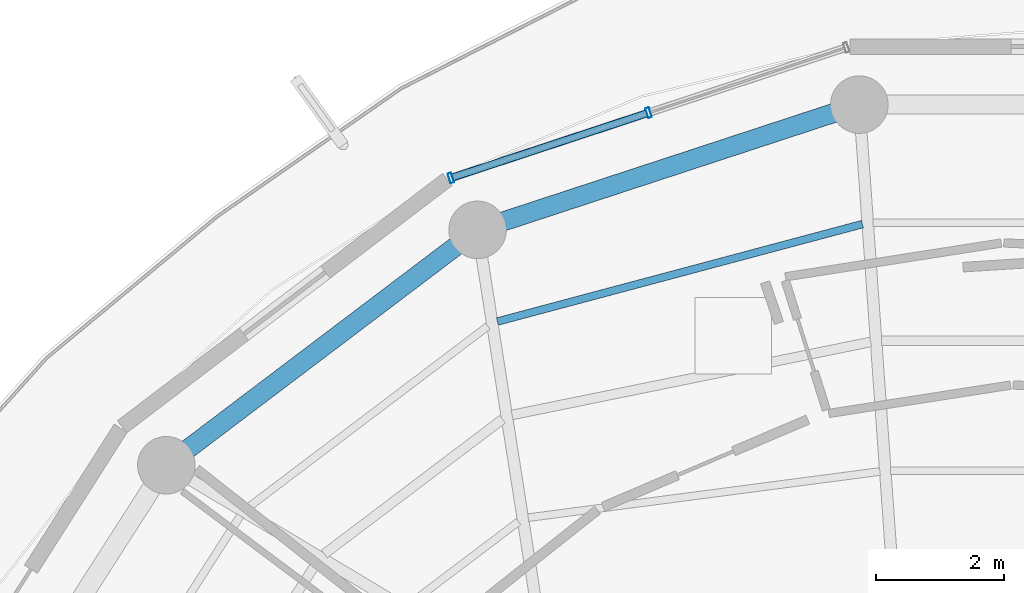
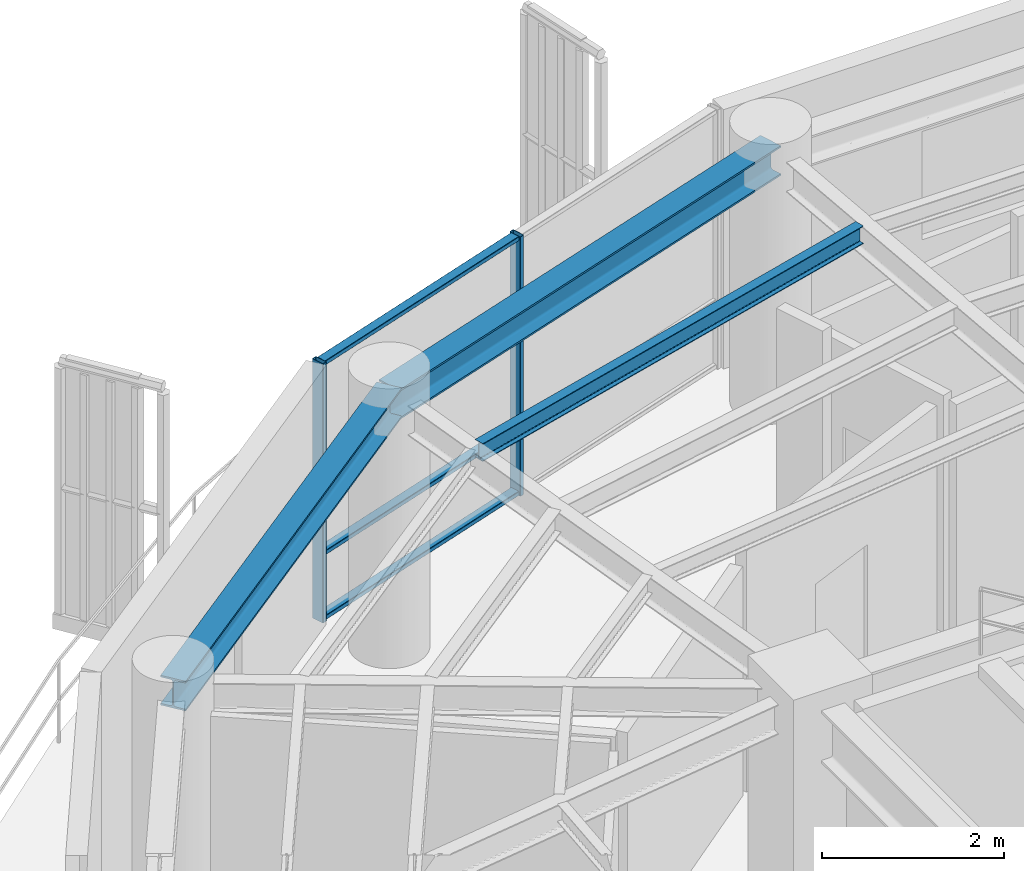
# One storey, part 11 of 22: 5 members, 3 beams, 1 element without a shape of its own.
"""IFC4 building model written with IfcOpenShell, lengths in metres."""

from ifc_helpers import new_model, si_unit, direction, frame, origin, origin_2d, place, context, subcontext, project, spatial, hollow_rectangle, i_section, extrude, material, layer, layer_set, material_profile, profile_set, type_object, element, aggregate, save


model = new_model("IFC4")

# Units and contexts
model_context = context("Model", 3, precision=1e-05, world=origin(), true_north=direction((0.0, 1.0)))
body_context = subcontext(model_context, "Body", "Model", "MODEL_VIEW")
ifc_project = project(units=[si_unit("LENGTHUNIT", "METRE"), si_unit("AREAUNIT", "SQUARE_METRE"), si_unit("VOLUMEUNIT", "CUBIC_METRE"), si_unit("PLANEANGLEUNIT", "RADIAN"), si_unit("MASSUNIT", "GRAM", prefix="KILO")], contexts=[model_context])

# Site, building, storey
site_placement = place(None, origin())
site = spatial("IfcSite", under=ifc_project, at=site_placement, CompositionType="ELEMENT")
building_placement = place(site_placement, origin())
building = spatial("IfcBuilding", under=site, at=building_placement, Name="Kelanora Arch Commons", CompositionType="ELEMENT")
storey_placement = place(building_placement, frame((0.0, 0.0, 274.949951171875)))
storey = spatial("IfcBuildingStorey", under=building, at=storey_placement, Name="L70", CompositionType="ELEMENT", Elevation=274.949951171875)

# Beams
ifc_material_1 = material(Name="Steel S355", Category="steel")
ifc_material_profile_1 = material_profile(ifc_material_1, i_section(OverallWidth=0.1201171875, OverallDepth=0.239990234375, WebThickness=0.006103515625, FlangeThickness=0.009765625, FilletRadius=0.014892578125, at=origin_2d()), Name="IPE240")
ifc_profile_set_1 = profile_set([ifc_material_profile_1], Name="Steel S355")
beam_type_1 = type_object("IfcBeamType", Name="BM-JST-02", PredefinedType="JOIST", material=ifc_profile_set_1)
beam_1_placement = place(storey_placement, frame((70.87451171875, 72.36181640625, 3.3701171875), z_axis=(-0.966190312964, -0.257829942278, 0.0), x_axis=(0.257829942278, -0.966190312964, 0.0)))
element("IfcBeam", 1, at=beam_1_placement, inside=storey, type_object=beam_type_1, Name="Secondary Chord Joist BJC-10 L70", PredefinedType="JOIST", context=body_context, shape_type="SweptSolid", body=[
    extrude(i_section(OverallWidth=0.1201171875, OverallDepth=0.239990234375, WebThickness=0.006103515625, FlangeThickness=0.009765625, FilletRadius=0.014892578125, at=origin_2d()), origin(), (0.0, 0.0, 1.0), 5.904052734375),
])
ifc_material_profile_2 = material_profile(ifc_material_1, i_section(OverallWidth=0.300048828125, OverallDepth=0.39990234375, WebThickness=0.013427734375, FlangeThickness=0.02392578125, FilletRadius=0.027099609375, at=origin_2d()), Name="HEB400")
ifc_profile_set_2 = profile_set([ifc_material_profile_2], Name="Steel S355")
beam_type_2 = type_object("IfcBeamType", Name="BM-SPN-Z4", PredefinedType="SPANDREL", material=ifc_profile_set_2)
beam_2_placement = place(storey_placement, frame((70.82568359375, 74.2294921875, 3.2900390625), z_axis=(-0.950165923039, -0.311744636996, 0.0), x_axis=(0.311744636996, -0.950165923039, 0.0)))
element("IfcBeam", 2, at=beam_2_placement, inside=storey, type_object=beam_type_2, Name="Perimeter Spandrel Beam BS-10 L70", PredefinedType="SPANDREL", context=body_context, shape_type="SweptSolid", body=[
    extrude(i_section(OverallWidth=0.300048828125, OverallDepth=0.39990234375, WebThickness=0.013427734375, FlangeThickness=0.02392578125, FilletRadius=0.027099609375, at=origin_2d()), origin(), (0.0, 0.0, 1.0), 6.278564453125),
])
beam_3_placement = place(storey_placement, frame((64.860107421875, 72.272216796875, 3.2900390625), z_axis=(-0.797509460967, -0.603306439273, 0.0), x_axis=(0.603306439273, -0.797509460967, 0.0)))
element("IfcBeam", 3, at=beam_3_placement, inside=storey, type_object=beam_type_2, Name="Perimeter Spandrel Beam BS-12 L70", PredefinedType="SPANDREL", context=body_context, shape_type="SweptSolid", body=[
    extrude(i_section(OverallWidth=0.300048828125, OverallDepth=0.39990234375, WebThickness=0.013427734375, FlangeThickness=0.02392578125, FilletRadius=0.027099609375, at=origin_2d()), origin(), (0.0, 0.0, 1.0), 6.098388671875),
])

# Curtain wall, members
ifc_material_2 = material(Name="Terracotta ceramic-fritted low-E glass and aluminium", Category="masonry")
ifc_layer = layer(ifc_material_2, 0.18994140625)
ifc_layer_set = layer_set([ifc_layer], Name="Terracotta ceramic-fritted low-E glass and aluminium")
curtain_wall_type = type_object("IfcCurtainWallType", Name="CW-SYS-03", PredefinedType="NOTDEFINED", material=ifc_layer_set)
curtain_wall_placement = place(storey_placement, origin())
curtain_wall = element("IfcCurtainWall", 4, at=curtain_wall_placement, inside=storey, type_object=curtain_wall_type, Name="Unitised Curtain Wall L70-B05", PredefinedType="NOTDEFINED")
ifc_material_3 = material(Name="Powder-coated aluminium terracotta", Category="masonry")
ifc_material_profile_3 = material_profile(ifc_material_3, hollow_rectangle(XDim=0.159912109375, YDim=0.06005859375, WallThickness=0.0048828125, InnerFilletRadius=0.0048828125, OuterFilletRadius=0.010009765625, at=origin_2d()), Name="CWM160x60")
ifc_profile_set_3 = profile_set([ifc_material_profile_3], Name="Powder-coated aluminium terracotta")
member_type_1 = type_object("IfcMemberType", Name="CWM-STD", PredefinedType="MULLION", material=ifc_profile_set_3)
member_1_placement = place(storey_placement, frame((67.532958984375, 74.102294921875, 0.0), z_axis=(0.0, 0.0, 1.0), x_axis=(0.313252785344, -0.949669780752, 0.0)))
member_1 = element("IfcMember", 5, at=member_1_placement, type_object=member_type_1, Name="CW-03 mullion 2", PredefinedType="MULLION", context=body_context, shape_type="SweptSolid", body=[
    extrude(hollow_rectangle(XDim=0.159912109375, YDim=0.06005859375, WallThickness=0.0048828125, InnerFilletRadius=0.0048828125, OuterFilletRadius=0.010009765625, at=origin_2d()), origin(), (0.0, 0.0, 1.0), 3.47509765625),
])
member_2_placement = place(storey_placement, frame((64.442626953125, 73.0830078125, 0.0), z_axis=(0.0, 0.0, 1.0), x_axis=(0.313252785344, -0.949669780752, 0.0)))
member_2 = element("IfcMember", 6, at=member_2_placement, type_object=member_type_1, Name="CW-03 mullion 3", PredefinedType="MULLION", context=body_context, shape_type="SweptSolid", body=[
    extrude(hollow_rectangle(XDim=0.159912109375, YDim=0.06005859375, WallThickness=0.0048828125, InnerFilletRadius=0.0048828125, OuterFilletRadius=0.010009765625, at=origin_2d()), origin(), (0.0, 0.0, 1.0), 3.47509765625),
])
ifc_material_profile_4 = material_profile(ifc_material_3, hollow_rectangle(XDim=0.1201171875, YDim=0.06005859375, WallThickness=0.0048828125, InnerFilletRadius=0.0048828125, OuterFilletRadius=0.010009765625, at=origin_2d()), Name="CWT120x60")
ifc_profile_set_4 = profile_set([ifc_material_profile_4], Name="Powder-coated aluminium terracotta")
member_type_2 = type_object("IfcMemberType", Name="CWT-STD", PredefinedType="USERDEFINED", material=ifc_profile_set_4)
member_3_placement = place(storey_placement, frame((67.50439453125, 74.0927734375, 0.030029296875), z_axis=(-0.949672315102, -0.313245102003, 0.0), x_axis=(0.313245102003, -0.949672315102, 0.0)))
member_3 = element("IfcMember", 7, at=member_3_placement, type_object=member_type_2, Name="CW-03 transom 2.1", ObjectType="TRANSOM", PredefinedType="USERDEFINED", context=body_context, shape_type="SweptSolid", body=[
    extrude(hollow_rectangle(XDim=0.1201171875, YDim=0.06005859375, WallThickness=0.0048828125, InnerFilletRadius=0.0048828125, OuterFilletRadius=0.010009765625, at=origin_2d()), origin(), (0.0, 0.0, 1.0), 3.19384765625),
])
member_4_placement = place(storey_placement, frame((67.50439453125, 74.0927734375, 0.900146484375), z_axis=(-0.949672315102, -0.313245102003, 0.0), x_axis=(0.313245102003, -0.949672315102, 0.0)))
member_4 = element("IfcMember", 8, at=member_4_placement, type_object=member_type_2, Name="CW-03 transom 2.2", ObjectType="TRANSOM", PredefinedType="USERDEFINED", context=body_context, shape_type="SweptSolid", body=[
    extrude(hollow_rectangle(XDim=0.1201171875, YDim=0.06005859375, WallThickness=0.0048828125, InnerFilletRadius=0.0048828125, OuterFilletRadius=0.010009765625, at=origin_2d()), origin(), (0.0, 0.0, 1.0), 3.19384765625),
])
member_5_placement = place(storey_placement, frame((67.50439453125, 74.0927734375, 3.445068359375), z_axis=(-0.949672315102, -0.313245102003, 0.0), x_axis=(0.313245102003, -0.949672315102, 0.0)))
member_5 = element("IfcMember", 9, at=member_5_placement, type_object=member_type_2, Name="CW-03 transom 2.3", ObjectType="TRANSOM", PredefinedType="USERDEFINED", context=body_context, shape_type="SweptSolid", body=[
    extrude(hollow_rectangle(XDim=0.1201171875, YDim=0.06005859375, WallThickness=0.0048828125, InnerFilletRadius=0.0048828125, OuterFilletRadius=0.010009765625, at=origin_2d()), origin(), (0.0, 0.0, 1.0), 3.19384765625),
])
aggregate(curtain_wall, [member_1, member_2, member_3, member_4, member_5])

save(model, "model.ifc")
